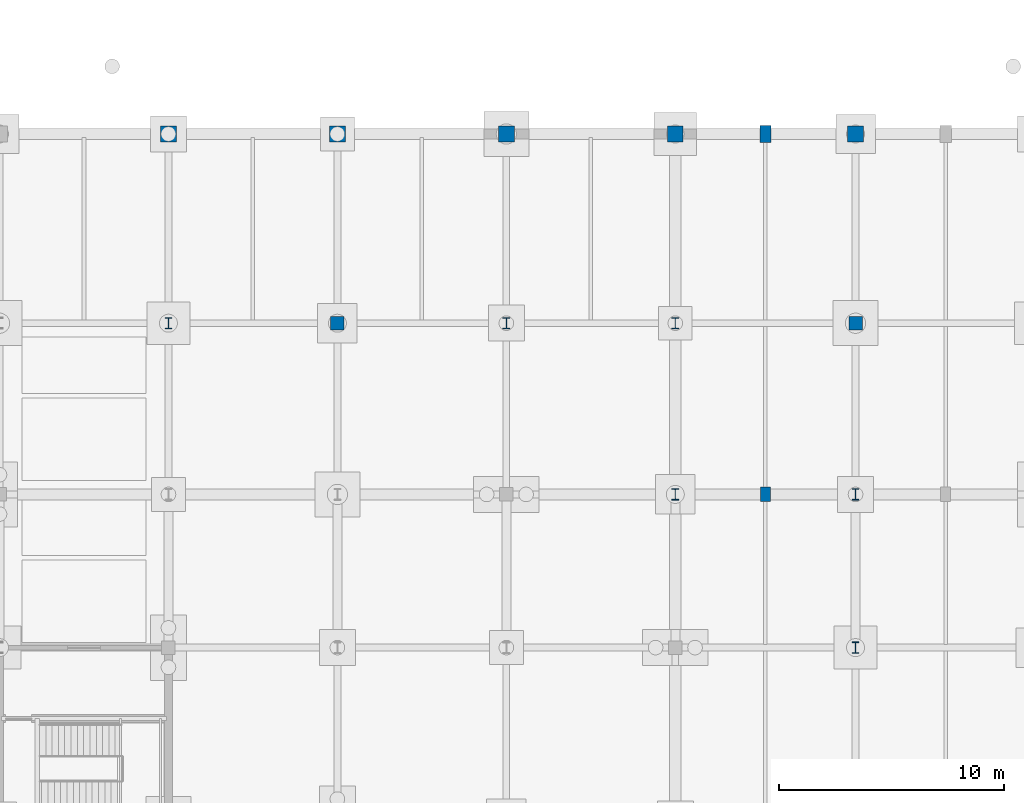
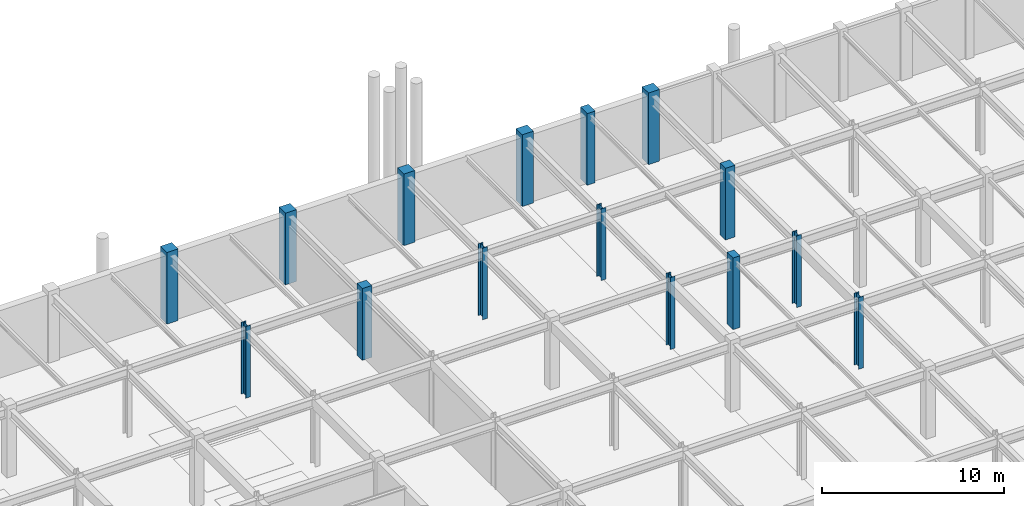
# One storey, part 20 of 53: 15 columns.
"""IFC4 building model written with IfcOpenShell, lengths in metres."""

from ifc_helpers import new_model, si_unit, direction, frame, origin, origin_2d, place, context, subcontext, project, spatial, rectangle, i_section, extrude, material, material_profile, profile_set, type_object, element, save


model = new_model("IFC4")

# Units and contexts
model_context = context("Model", 3, precision=1e-05, world=origin(), true_north=direction((0.0, 1.0)))
body_context = subcontext(model_context, "Body", "Model", "MODEL_VIEW")
ifc_project = project(units=[si_unit("LENGTHUNIT", "METRE"), si_unit("AREAUNIT", "SQUARE_METRE"), si_unit("VOLUMEUNIT", "CUBIC_METRE"), si_unit("PLANEANGLEUNIT", "RADIAN"), si_unit("MASSUNIT", "GRAM", prefix="KILO")], contexts=[model_context])

# Site, building, storey
site_placement = place(None, origin())
site = spatial("IfcSite", under=ifc_project, at=site_placement, CompositionType="ELEMENT")
building_placement = place(site_placement, origin())
building = spatial("IfcBuilding", under=site, at=building_placement, Name="Shalkamar Park Central Library", CompositionType="ELEMENT")
storey_placement = place(building_placement, frame((0.0, 0.0, -4.800048828125)))
storey = spatial("IfcBuildingStorey", under=building, at=storey_placement, Name="B1", CompositionType="ELEMENT", Elevation=-4.800048828125)

# Columns
ifc_material_1 = material(Name="Concrete C40/50", Category="concrete")
ifc_material_profile_1 = material_profile(ifc_material_1, rectangle(XDim=0.60009765625, YDim=0.60009765625, at=origin_2d()), Name="RC 600x600")
ifc_profile_set_1 = profile_set([ifc_material_profile_1], Name="Concrete C40/50")
column_type_1 = type_object("IfcColumnType", Name="Column Concrete RC600", PredefinedType="COLUMN", material=ifc_profile_set_1)
for number, where, z_axis, x_axis, name in (
    (1, (150.0, 345.60009765625, 0.0), (0.0, 0.0, 1.0), (1.0, 0.0, 0.0), "Column 05/Q (B1)"),
    (2, (173.0, 345.60009765625, 0.0), (0.0, 0.0, 1.0), (1.0, 0.0, 0.0), "Column 08/Q (B1)"),
):
    element("IfcColumn", number, at=place(storey_placement, frame(where, z_axis=z_axis, x_axis=x_axis)), inside=storey, type_object=column_type_1, Name=name, PredefinedType="COLUMN", context=body_context, shape_type="SweptSolid", body=[
        extrude(rectangle(XDim=0.60009765625, YDim=0.60009765625, at=origin_2d()), origin(), (0.0, 0.0, 1.0), 4.800048828125),
    ])
ifc_material_profile_2 = material_profile(ifc_material_1, rectangle(XDim=0.699951171875, YDim=0.699951171875, at=origin_2d()), Name="RC 700x700")
ifc_profile_set_2 = profile_set([ifc_material_profile_2], Name="Concrete C40/50")
column_type_2 = type_object("IfcColumnType", Name="Column Concrete RC700", PredefinedType="COLUMN", material=ifc_profile_set_2)
for number, where, z_axis, x_axis, name in (
    (3, (142.5, 354.0, 0.0), (0.0, 0.0, 1.0), (1.0, 0.0, 0.0), "Column 04/R (B1)"),
    (4, (150.0, 354.0, 0.0), (0.0, 0.0, 1.0), (1.0, 0.0, 0.0), "Column 05/R (B1)"),
    (5, (157.5, 354.0, 0.0), (0.0, 0.0, 1.0), (1.0, 0.0, 0.0), "Column 06/R (B1)"),
    (6, (165.0, 354.0, 0.0), (0.0, 0.0, 1.0), (1.0, 0.0, 0.0), "Column 07/R (B1)"),
    (7, (173.0, 354.0, 0.0), (0.0, 0.0, 1.0), (1.0, 0.0, 0.0), "Column 08/R (B1)"),
):
    element("IfcColumn", number, at=place(storey_placement, frame(where, z_axis=z_axis, x_axis=x_axis)), inside=storey, type_object=column_type_2, Name=name, PredefinedType="COLUMN", context=body_context, shape_type="SweptSolid", body=[
        extrude(rectangle(XDim=0.699951171875, YDim=0.699951171875, at=origin_2d()), origin(), (0.0, 0.0, 1.0), 4.800048828125),
    ])
ifc_material_2 = material(Name="Steel S355", Category="steel")
ifc_material_profile_3 = material_profile(ifc_material_2, i_section(OverallWidth=0.300048828125, OverallDepth=0.5, WebThickness=0.014404296875, FlangeThickness=0.028076171875, FilletRadius=0.027099609375, at=origin_2d()), Name="HEB 500")
ifc_profile_set_3 = profile_set([ifc_material_profile_3], Name="Steel S355")
column_type_3 = type_object("IfcColumnType", Name="Column Steel HEB500", PredefinedType="COLUMN", material=ifc_profile_set_3)
for number, where, z_axis, x_axis, name in (
    (8, (142.5, 345.60009765625, 0.0), (0.0, 0.0, 1.0), (1.0, 0.0, 0.0), "Column 04/Q (B1)"),
    (9, (157.5, 345.60009765625, 0.0), (0.0, 0.0, 1.0), (1.0, 0.0, 0.0), "Column 06/Q (B1)"),
    (10, (165.0, 338.0, 0.0), (0.0, 0.0, 1.0), (1.0, 0.0, 0.0), "Column 07/P (B1)"),
    (11, (165.0, 345.60009765625, 0.0), (0.0, 0.0, 1.0), (1.0, 0.0, 0.0), "Column 07/Q (B1)"),
    (12, (173.0, 331.199951171875, 0.0), (0.0, 0.0, 1.0), (1.0, 0.0, 0.0), "Column 08/N (B1)"),
    (13, (173.0, 338.0, 0.0), (0.0, 0.0, 1.0), (1.0, 0.0, 0.0), "Column 08/P (B1)"),
):
    element("IfcColumn", number, at=place(storey_placement, frame(where, z_axis=z_axis, x_axis=x_axis)), inside=storey, type_object=column_type_3, Name=name, PredefinedType="COLUMN", context=body_context, shape_type="SweptSolid", body=[
        extrude(i_section(OverallWidth=0.300048828125, OverallDepth=0.5, WebThickness=0.014404296875, FlangeThickness=0.028076171875, FilletRadius=0.027099609375, at=origin_2d()), origin(), (0.0, 0.0, 1.0), 4.800048828125),
    ])
ifc_material_profile_4 = material_profile(ifc_material_1, rectangle(XDim=0.449951171875, YDim=0.64990234375, at=origin_2d()), Name="RC 450x650")
ifc_profile_set_4 = profile_set([ifc_material_profile_4], Name="Concrete C40/50")
column_type_4 = type_object("IfcColumnType", Name="Engaged Pilaster RC450x650", PredefinedType="PILASTER", material=ifc_profile_set_4)
column_1_placement = place(storey_placement, frame((169.0, 338.0, 0.0), z_axis=(0.0, 0.0, 1.0), x_axis=(1.0, 0.0, 0.0)))
element("IfcColumn", 14, at=column_1_placement, inside=storey, type_object=column_type_4, Name="Terrace Facade Pilaster P-06 (B1)", PredefinedType="PILASTER", context=body_context, shape_type="SweptSolid", body=[
    extrude(rectangle(XDim=0.449951171875, YDim=0.64990234375, at=origin_2d()), origin(), (0.0, 0.0, 1.0), 4.800048828125),
])
ifc_material_profile_5 = material_profile(ifc_material_1, rectangle(XDim=0.5, YDim=0.75, at=origin_2d()), Name="RC 500x750")
ifc_profile_set_5 = profile_set([ifc_material_profile_5], Name="Concrete C40/50")
column_type_5 = type_object("IfcColumnType", Name="Engaged Pilaster RC500x750", PredefinedType="PILASTER", material=ifc_profile_set_5)
column_2_placement = place(storey_placement, frame((169.0, 354.0, 0.0), z_axis=(0.0, 0.0, 1.0), x_axis=(1.0, 0.0, 0.0)))
element("IfcColumn", 15, at=column_2_placement, inside=storey, type_object=column_type_5, Name="Park Proscenium Pilaster R-06 (B1)", PredefinedType="PILASTER", context=body_context, shape_type="SweptSolid", body=[
    extrude(rectangle(XDim=0.5, YDim=0.75, at=origin_2d()), origin(), (0.0, 0.0, 1.0), 4.800048828125),
])

save(model, "model.ifc")
